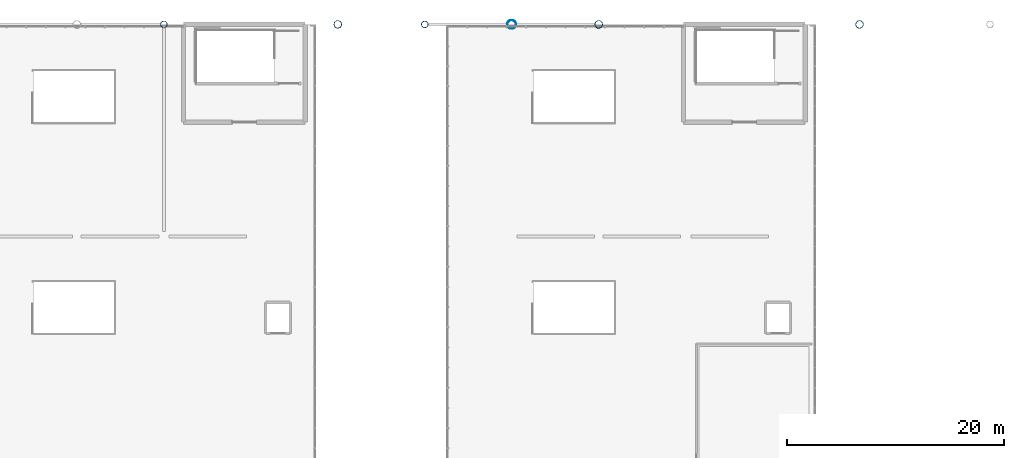
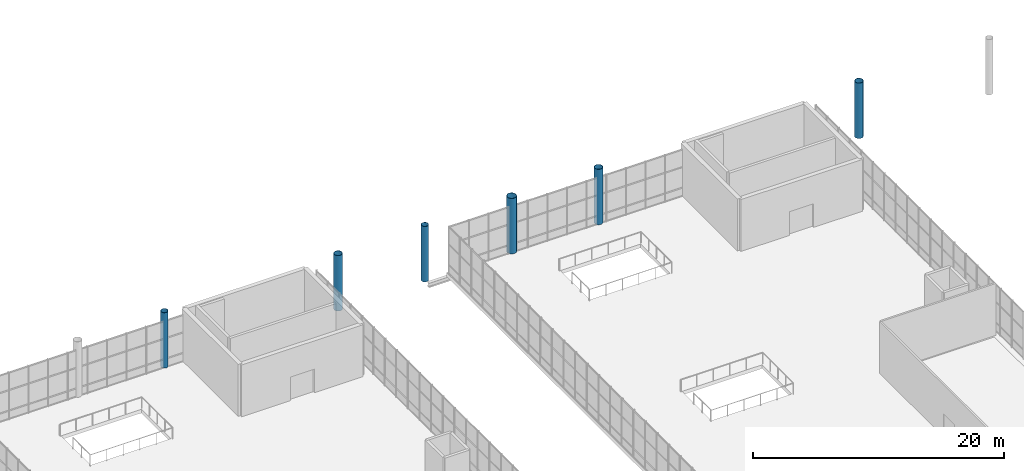
# One storey, part 18 of 176: 6 columns.
"""IFC4 building model written with IfcOpenShell, lengths in metres."""

from ifc_helpers import new_model, si_unit, direction, frame, origin, origin_2d, place, context, subcontext, project, spatial, hollow_circle, extrude, material, material_profile, profile_set, type_object, element, save


model = new_model("IFC4")

# Units and contexts
model_context = context("Model", 3, precision=1e-05, world=origin(), true_north=direction((0.0, 1.0)))
body_context = subcontext(model_context, "Body", "Model", "MODEL_VIEW")
ifc_project = project(units=[si_unit("LENGTHUNIT", "METRE"), si_unit("AREAUNIT", "SQUARE_METRE"), si_unit("VOLUMEUNIT", "CUBIC_METRE"), si_unit("PLANEANGLEUNIT", "RADIAN"), si_unit("MASSUNIT", "GRAM", prefix="KILO")], contexts=[model_context])

# Site, building, storey
site_placement = place(None, origin())
site = spatial("IfcSite", under=ifc_project, at=site_placement, CompositionType="ELEMENT")
building_placement = place(site_placement, origin())
building = spatial("IfcBuilding", under=site, at=building_placement, Name="Khorjan Park Terminus", CompositionType="ELEMENT")
storey_placement = place(building_placement, frame((0.0, 0.0, 6.0)))
storey = spatial("IfcBuildingStorey", under=building, at=storey_placement, Name="L01", CompositionType="ELEMENT", Elevation=6.0)

# Columns
ifc_material = material(Name="Steel S355", Category="steel")
ifc_material_profile_1 = material_profile(ifc_material, hollow_circle(Radius=0.305, WallThickness=0.02, at=origin_2d()), Name="CHS 610x20")
ifc_profile_set_1 = profile_set([ifc_material_profile_1], Name="Steel S355")
column_type_1 = type_object("IfcColumnType", Name="COL-SH610E", PredefinedType="COLUMN", material=ifc_profile_set_1)
for number, where, z_axis, x_axis, name in (
    (1, (72.0, 154.0, 0.0), (0.0, 0.0, 1.0), (1.0, 0.0, 0.0), "Structural column SC-61 (L01 #107)"),
    (2, (96.0, 154.0, 0.0), (0.0, 0.0, 1.0), (1.0, 0.0, 0.0), "Structural column SC-61 (L01 #142)"),
):
    element("IfcColumn", number, at=place(storey_placement, frame(where, z_axis=z_axis, x_axis=x_axis)), inside=storey, type_object=column_type_1, Name=name, PredefinedType="COLUMN", context=body_context, shape_type="SweptSolid", body=[
        extrude(hollow_circle(Radius=0.305, WallThickness=0.02, at=origin_2d()), origin(), (0.0, 0.0, 1.0), 5.4),
    ])
ifc_material_profile_2 = material_profile(ifc_material, hollow_circle(Radius=0.3555, WallThickness=0.025, at=origin_2d()), Name="CHS 711x25")
ifc_profile_set_2 = profile_set([ifc_material_profile_2], Name="Steel S355")
column_type_2 = type_object("IfcColumnType", Name="COL-SH711E", PredefinedType="COLUMN", material=ifc_profile_set_2)
for number, where, z_axis, x_axis, name in (
    (3, (88.0, 154.0, 0.0), (0.0, 0.0, 1.0), (1.0, 0.0, 0.0), "Structural column SC-71 (L01 #130)"),
    (4, (112.0, 154.0, 0.0), (0.0, 0.0, 1.0), (1.0, 0.0, 0.0), "Structural column SC-71 (L01 #168)"),
    (5, (136.0, 154.0, 0.0), (0.0, 0.0, 1.0), (1.0, 0.0, 0.0), "Structural column SC-71 (L01 #200)"),
):
    element("IfcColumn", number, at=place(storey_placement, frame(where, z_axis=z_axis, x_axis=x_axis)), inside=storey, type_object=column_type_2, Name=name, PredefinedType="COLUMN", context=body_context, shape_type="SweptSolid", body=[
        extrude(hollow_circle(Radius=0.3555, WallThickness=0.025, at=origin_2d()), origin(), (0.0, 0.0, 1.0), 5.4),
    ])
ifc_material_profile_3 = material_profile(ifc_material, hollow_circle(Radius=0.4065, WallThickness=0.025, at=origin_2d()), Name="CHS 813x25")
ifc_profile_set_3 = profile_set([ifc_material_profile_3], Name="Steel S355")
column_type_3 = type_object("IfcColumnType", Name="COL-SH813E", PredefinedType="COLUMN", material=ifc_profile_set_3)
column_placement = place(storey_placement, frame((104.0, 154.0, 0.0), z_axis=(0.0, 0.0, 1.0), x_axis=(1.0, 0.0, 0.0)))
element("IfcColumn", 6, at=column_placement, inside=storey, type_object=column_type_3, Name="Structural column SC-81 (L01 #154)", PredefinedType="COLUMN", context=body_context, shape_type="SweptSolid", body=[
    extrude(hollow_circle(Radius=0.4065, WallThickness=0.025, at=origin_2d()), origin(), (0.0, 0.0, 1.0), 5.4),
])

save(model, "model.ifc")
